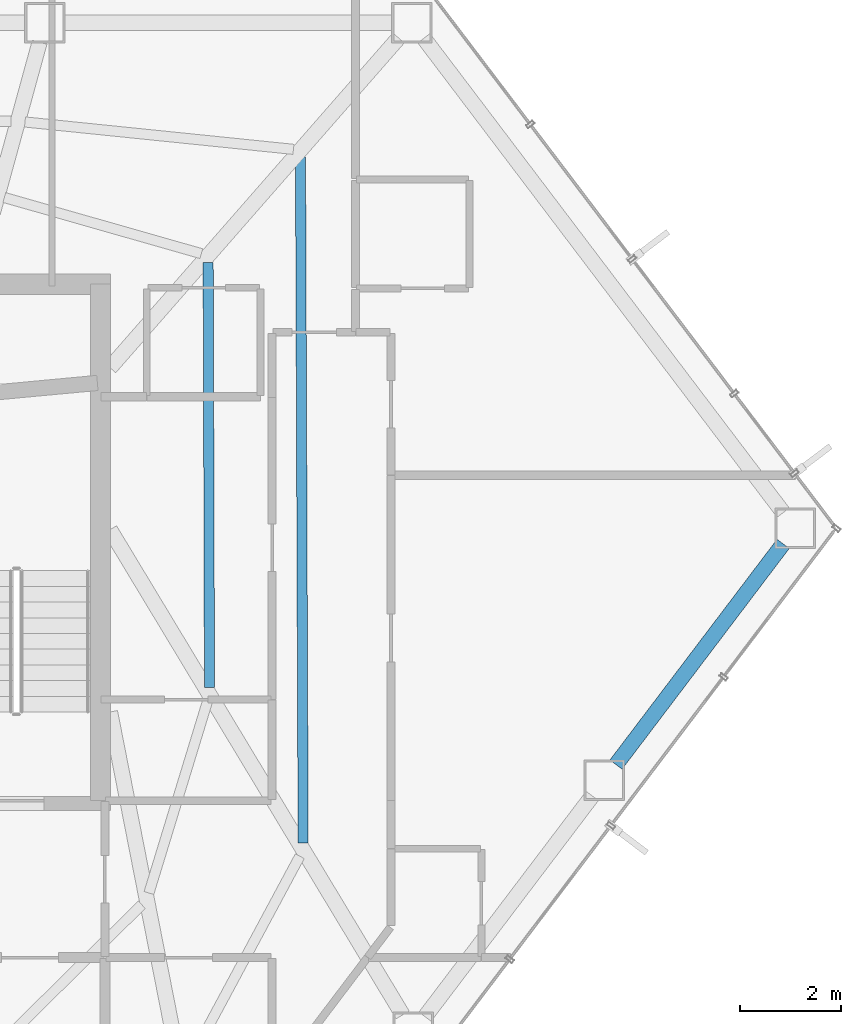
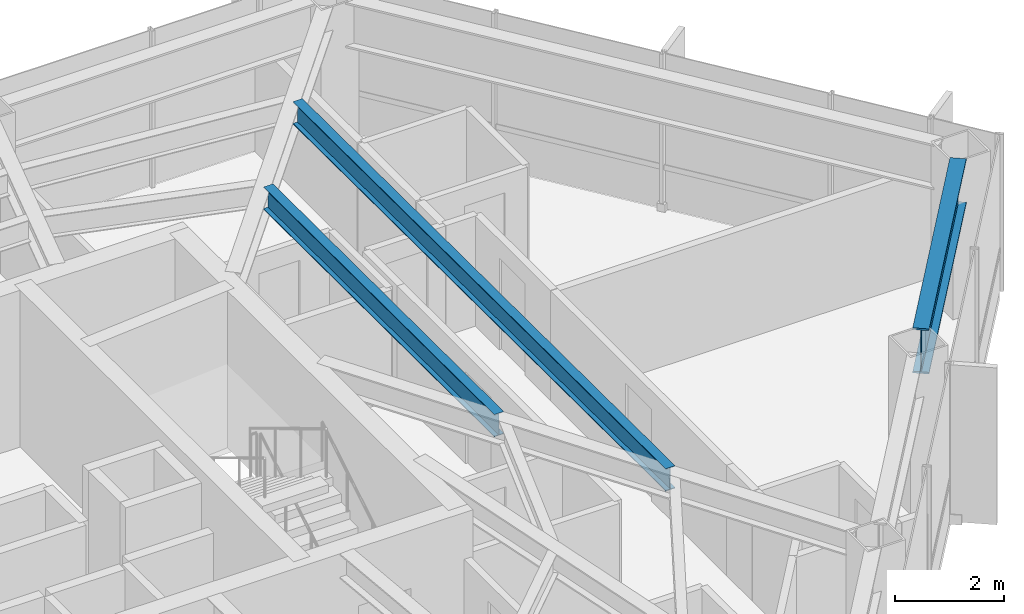
# One storey, part 20 of 28: 3 beams.
"""IFC4 building model written with IfcOpenShell, lengths in metres."""

from ifc_helpers import new_model, si_unit, direction, frame, origin, origin_2d, place, context, subcontext, project, spatial, i_section, extrude, material, material_profile, profile_set, type_object, element, save


model = new_model("IFC4")

# Units and contexts
model_context = context("Model", 3, precision=1e-05, world=origin(), true_north=direction((0.0, 1.0)))
body_context = subcontext(model_context, "Body", "Model", "MODEL_VIEW")
ifc_project = project(units=[si_unit("LENGTHUNIT", "METRE"), si_unit("AREAUNIT", "SQUARE_METRE"), si_unit("VOLUMEUNIT", "CUBIC_METRE"), si_unit("PLANEANGLEUNIT", "RADIAN"), si_unit("MASSUNIT", "GRAM", prefix="KILO")], contexts=[model_context])

# Site, building, storey
site_placement = place(None, origin())
site = spatial("IfcSite", under=ifc_project, at=site_placement, CompositionType="ELEMENT")
building_placement = place(site_placement, origin())
building = spatial("IfcBuilding", under=site, at=building_placement, Name="Zarrinselat Tower", CompositionType="ELEMENT")
storey_placement = place(building_placement, frame((0.0, 0.0, 127.159912109375)))
storey = spatial("IfcBuildingStorey", under=building, at=storey_placement, Name="L30", CompositionType="ELEMENT", Elevation=127.159912109375)

# Beams
ifc_material_1 = material(Name="Steel S460M", Category="steel")
ifc_material_profile_1 = material_profile(ifc_material_1, i_section(OverallWidth=0.302001953125, OverallDepth=1.008056640625, WebThickness=0.02099609375, FlangeThickness=0.0400390625, at=origin_2d()), Name="HEM 1000")
ifc_profile_set_1 = profile_set([ifc_material_profile_1], Name="Steel S460M")
beam_type_1 = type_object("IfcBeamType", Name="BM-HEM1000", PredefinedType="BEAM", material=ifc_profile_set_1)
beam_1_placement = place(storey_placement, frame((58.443603515625, 33.96044921875, 2.99609375), z_axis=(0.603835343733, 0.797109075132, 0.0), x_axis=(-0.797109075132, 0.603835343733, 0.0)))
element("IfcBeam", 1, at=beam_1_placement, inside=storey, type_object=beam_type_1, Name="L30 Perimeter Spandrel Girder SP14", PredefinedType="BEAM", context=body_context, shape_type="SweptSolid", body=[
    extrude(i_section(OverallWidth=0.302001953125, OverallDepth=1.008056640625, WebThickness=0.02099609375, FlangeThickness=0.0400390625, at=origin_2d()), origin(), (0.0, 0.0, 1.0), 5.469482421875),
])
ifc_material_2 = material(Name="Steel S355J2", Category="steel")
ifc_material_profile_2 = material_profile(ifc_material_2, i_section(OverallWidth=0.199951171875, OverallDepth=0.5, WebThickness=0.01025390625, FlangeThickness=0.01611328125, at=origin_2d()), Name="IPE 500")
ifc_profile_set_2 = profile_set([ifc_material_profile_2], Name="Steel S355J2")
beam_type_2 = type_object("IfcBeamType", Name="BM-IPE500", PredefinedType="JOIST", material=ifc_profile_set_2)
beam_2_placement = place(storey_placement, frame((52.21240234375, 45.95947265625, 3.25), z_axis=(0.003839400654, -0.999992629474, 0.0), x_axis=(0.999992629474, 0.003839400654, 0.0)))
element("IfcBeam", 2, at=beam_2_placement, inside=storey, type_object=beam_type_2, Name="L30 Composite Floor Joist 5-1", PredefinedType="JOIST", context=body_context, shape_type="SweptSolid", body=[
    extrude(i_section(OverallWidth=0.199951171875, OverallDepth=0.5, WebThickness=0.01025390625, FlangeThickness=0.01611328125, at=origin_2d()), origin(), (0.0, 0.0, 1.0), 13.544189453125),
])
beam_3_placement = place(storey_placement, frame((50.388427734375, 43.874755859375, 3.25), z_axis=(0.003141528508, -0.999995065387, 0.0), x_axis=(0.999995065387, 0.003141528508, 0.0)))
element("IfcBeam", 3, at=beam_3_placement, inside=storey, type_object=beam_type_2, Name="L30 Composite Floor Joist 5-2", PredefinedType="JOIST", context=body_context, shape_type="SweptSolid", body=[
    extrude(i_section(OverallWidth=0.199951171875, OverallDepth=0.5, WebThickness=0.01025390625, FlangeThickness=0.01611328125, at=origin_2d()), origin(), (0.0, 0.0, 1.0), 8.39306640625),
])

save(model, "model.ifc")
